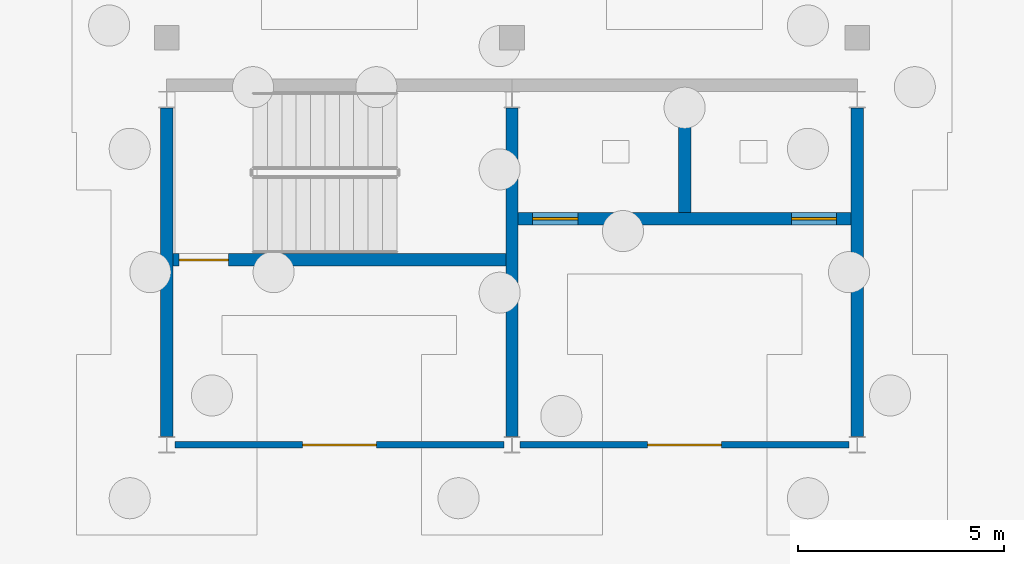
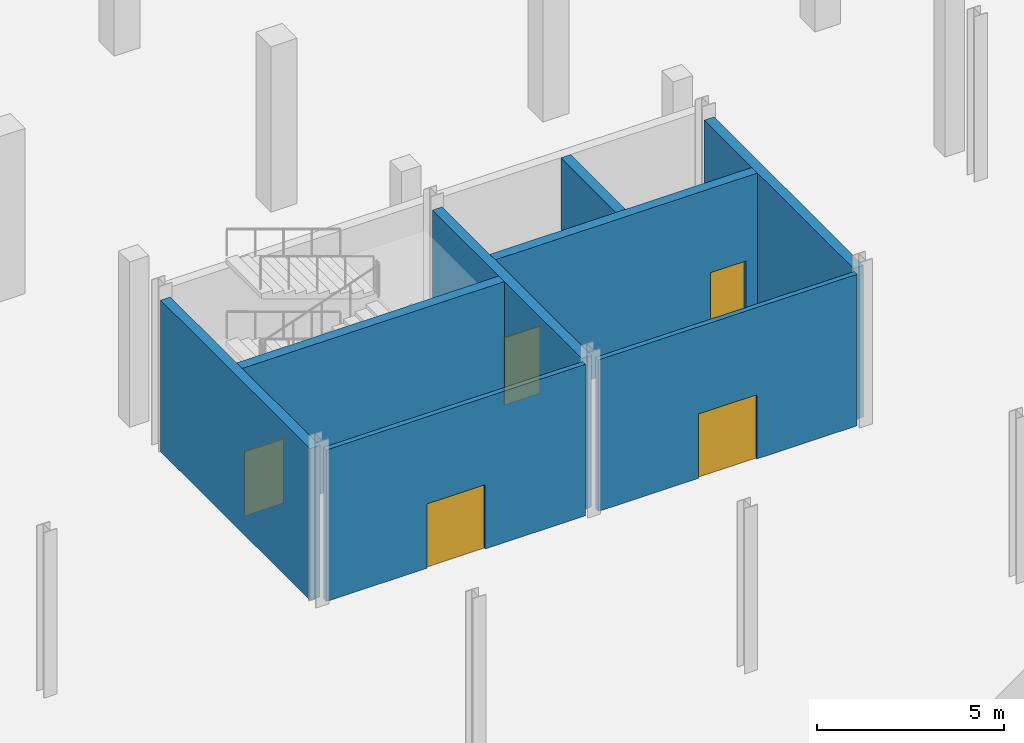
# One storey, part 16 of 29: 8 walls, 5 doors, 5 openings.
"""IFC4 building model written with IfcOpenShell, lengths in metres."""

from ifc_helpers import new_model, si_unit, direction, frame, frame_2d, origin, place, context, subcontext, project, spatial, rectangle, extrude, material, layer, layer_set, type_object, element, fill, save


model = new_model("IFC4")

# Units and contexts
model_context = context("Model", 3, precision=1e-05, world=origin(), true_north=direction((0.0, 1.0)))
body_context = subcontext(model_context, "Body", "Model", "MODEL_VIEW")
ifc_project = project(units=[si_unit("LENGTHUNIT", "METRE"), si_unit("AREAUNIT", "SQUARE_METRE"), si_unit("VOLUMEUNIT", "CUBIC_METRE"), si_unit("PLANEANGLEUNIT", "RADIAN"), si_unit("MASSUNIT", "GRAM", prefix="KILO")], contexts=[model_context])

# Site, building, storey
site_placement = place(None, origin())
site = spatial("IfcSite", under=ifc_project, at=site_placement, CompositionType="ELEMENT")
building_placement = place(site_placement, origin())
building = spatial("IfcBuilding", under=site, at=building_placement, Name="Cresset Court Congress Hotel", CompositionType="ELEMENT")
storey_placement = place(building_placement, frame((0.0, 0.0, -5.39990234375)))
storey = spatial("IfcBuildingStorey", under=building, at=storey_placement, Name="B1", CompositionType="ELEMENT", Elevation=-5.39990234375)

# Wall, opening, door
ifc_material_1 = material(Name="Concrete masonry", Category="masonry")
ifc_layer_1 = layer(ifc_material_1, 0.14990234375)
ifc_layer_set_1 = layer_set([ifc_layer_1], Name="Basement partition 150")
wall_type_1 = type_object("IfcWallType", Name="Basement partition 150", PredefinedType="PARTITIONING", material=ifc_layer_set_1)
wall_1_placement = place(storey_placement, frame((101.0, 16.800048828125, 0.0), z_axis=(0.0, 0.0, 1.0), x_axis=(1.0, 0.0, 0.0)))
wall_1 = element("IfcWall", 1, at=wall_1_placement, inside=storey, type_object=wall_type_1, Name="S.wall.B1.P007", PredefinedType="PARTITIONING", context=body_context, shape_type="SweptSolid", body=[
    extrude(rectangle(XDim=8.0, YDim=0.14990234375, at=frame_2d((4.0, 0.0))), origin(), (0.0, 0.0, 1.0), 4.949951171875),
])
opening_1_placement = place(wall_1_placement, frame((3.10009765625, 0.0, 0.0)))
opening_1 = element("IfcOpeningElement", 2, at=opening_1_placement, cuts=wall_1, Name="Opening DS-B1-08", PredefinedType="OPENING", context=body_context, shape_type="SweptSolid", body=[
    extrude(rectangle(XDim=1.800048828125, YDim=2.10009765625, at=frame_2d((0.89990234375, 1.050048828125))), frame((0.0, 0.0849609375, 0.0), z_axis=(0.0, -1.0, 0.0), x_axis=(1.0, 0.0, 0.0)), (0.0, 0.0, 1.0), 0.169921875),
])
ifc_material_2 = material(Name="Steel", Category="steel")
door_type_1 = type_object("IfcDoorType", Name="Basement lobby door 1800x2100", OperationType="DOUBLE_DOOR_SINGLE_SWING", PredefinedType="DOOR", material=ifc_material_2)
door_1_placement = place(opening_1_placement, origin())
door_1 = element("IfcDoor", 3, at=door_1_placement, inside=storey, type_object=door_type_1, Name="Door DS-B1-08", OperationType="DOUBLE_DOOR_SINGLE_SWING", OverallHeight=2.10009765625, OverallWidth=1.800048828125, PredefinedType="DOOR", context=body_context, shape_type="SweptSolid", body=[
    extrude(rectangle(XDim=1.800048828125, YDim=2.10009765625, at=frame_2d((0.89990234375, 1.050048828125))), frame((0.0, 0.02490234375, 0.0), z_axis=(0.0, -1.0, 0.0), x_axis=(1.0, 0.0, 0.0)), (0.0, 0.0, 1.0), 0.050048828125),
])
fill(opening_1, door_1)

wall_2_placement = place(storey_placement, frame((109.39990234375, 16.800048828125, 0.0), z_axis=(0.0, 0.0, 1.0), x_axis=(1.0, 0.0, 0.0)))
wall_2 = element("IfcWall", 4, at=wall_2_placement, inside=storey, type_object=wall_type_1, Name="S.wall.B1.P008", PredefinedType="PARTITIONING", context=body_context, shape_type="SweptSolid", body=[
    extrude(rectangle(XDim=8.0, YDim=0.14990234375, at=frame_2d((4.0, 0.0))), origin(), (0.0, 0.0, 1.0), 4.949951171875),
])
opening_2_placement = place(wall_2_placement, frame((3.10009765625, 0.0, 0.0)))
opening_2 = element("IfcOpeningElement", 5, at=opening_2_placement, cuts=wall_2, Name="Opening DS-B1-09", PredefinedType="OPENING", context=body_context, shape_type="SweptSolid", body=[
    extrude(rectangle(XDim=1.800048828125, YDim=2.10009765625, at=frame_2d((0.89990234375, 1.050048828125))), frame((0.0, 0.0849609375, 0.0), z_axis=(0.0, -1.0, 0.0), x_axis=(1.0, 0.0, 0.0)), (0.0, 0.0, 1.0), 0.169921875),
])
door_2_placement = place(opening_2_placement, origin())
door_2 = element("IfcDoor", 6, at=door_2_placement, inside=storey, type_object=door_type_1, Name="Door DS-B1-09", OperationType="DOUBLE_DOOR_SINGLE_SWING", OverallHeight=2.10009765625, OverallWidth=1.800048828125, PredefinedType="DOOR", context=body_context, shape_type="SweptSolid", body=[
    extrude(rectangle(XDim=1.800048828125, YDim=2.10009765625, at=frame_2d((0.89990234375, 1.050048828125))), frame((0.0, 0.02490234375, 0.0), z_axis=(0.0, -1.0, 0.0), x_axis=(1.0, 0.0, 0.0)), (0.0, 0.0, 1.0), 0.050048828125),
])
fill(opening_2, door_2)

# Walls
ifc_material_3 = material(Name="Concrete C50", Category="concrete")
ifc_layer_2 = layer(ifc_material_3, 0.300048828125)
ifc_layer_set_2 = layer_set([ifc_layer_2], Name="Core wall 300 Concrete C50")
wall_type_2 = type_object("IfcWallType", Name="Core wall 300 Concrete C50", PredefinedType="SHEAR", material=ifc_layer_set_2)
for number, where, z_axis, x_axis, name in (
    (7, (109.199951171875, 17.0, 0.0), (0.0, 0.0, 1.0), (0.0, 1.0, 0.0), "Core wall LC-B2"),
    (8, (117.60009765625, 17.0, 0.0), (0.0, 0.0, 1.0), (0.0, 1.0, 0.0), "Core wall LC-B2"),
):
    element("IfcWall", number, at=place(storey_placement, frame(where, z_axis=z_axis, x_axis=x_axis)), inside=storey, type_object=wall_type_2, Name=name, PredefinedType="SHEAR", context=body_context, shape_type="SweptSolid", body=[
        extrude(rectangle(XDim=8.0, YDim=0.300048828125, at=frame_2d((4.0, 0.0))), origin(), (0.0, 0.0, 1.0), 4.949951171875),
    ])

# Wall, openings, doors
wall_3_placement = place(storey_placement, frame((109.35009765625, 22.300048828125, 0.0), z_axis=(0.0, 0.0, 1.0), x_axis=(1.0, 0.0, 0.0)))
wall_3 = element("IfcWall", 9, at=wall_3_placement, inside=storey, type_object=wall_type_2, Name="Core wall LC-B2", PredefinedType="SHEAR", context=body_context, shape_type="SweptSolid", body=[
    extrude(rectangle(XDim=8.099853515625, YDim=0.300048828125, at=frame_2d((4.0498046875, 0.0))), origin(), (0.0, 0.0, 1.0), 4.949951171875),
])
opening_3_placement = place(wall_3_placement, frame((0.35009765625, 0.0, 0.0)))
opening_3 = element("IfcOpeningElement", 10, at=opening_3_placement, cuts=wall_3, Name="Opening LD-B2-01", PredefinedType="OPENING", context=body_context, shape_type="SweptSolid", body=[
    extrude(rectangle(XDim=1.10009765625, YDim=2.199951171875, at=frame_2d((0.550048828125, 1.10009765625))), frame((0.0, 0.159912109375, 0.0), z_axis=(0.0, -1.0, 0.0), x_axis=(1.0, 0.0, 0.0)), (0.0, 0.0, 1.0), 0.320068359375),
])
opening_4_placement = place(wall_3_placement, frame((6.64990234375, 0.0, 0.0)))
opening_4 = element("IfcOpeningElement", 11, at=opening_4_placement, cuts=wall_3, Name="Opening LD-B2-02", PredefinedType="OPENING", context=body_context, shape_type="SweptSolid", body=[
    extrude(rectangle(XDim=1.10009765625, YDim=2.199951171875, at=frame_2d((0.550048828125, 1.10009765625))), frame((0.0, 0.159912109375, 0.0), z_axis=(0.0, -1.0, 0.0), x_axis=(1.0, 0.0, 0.0)), (0.0, 0.0, 1.0), 0.320068359375),
])
ifc_material_4 = material(Name="Stainless steel", Category="steel")
door_type_2 = type_object("IfcDoorType", Name="Lift landing door sliding 1100x2200", OperationType="SLIDING_TO_LEFT", PredefinedType="DOOR", material=ifc_material_4)
door_3_placement = place(opening_3_placement, origin())
door_3 = element("IfcDoor", 12, at=door_3_placement, inside=storey, type_object=door_type_2, Name="Lift landing door LD-B2-01", OperationType="SLIDING_TO_LEFT", OverallHeight=2.199951171875, OverallWidth=1.10009765625, PredefinedType="DOOR", context=body_context, shape_type="SweptSolid", body=[
    extrude(rectangle(XDim=1.10009765625, YDim=2.199951171875, at=frame_2d((0.550048828125, 1.10009765625))), frame((0.0, 0.02490234375, 0.0), z_axis=(0.0, -1.0, 0.0), x_axis=(1.0, 0.0, 0.0)), (0.0, 0.0, 1.0), 0.050048828125),
])
fill(opening_3, door_3)
door_4_placement = place(opening_4_placement, origin())
door_4 = element("IfcDoor", 13, at=door_4_placement, inside=storey, type_object=door_type_2, Name="Lift landing door LD-B2-02", OperationType="SLIDING_TO_LEFT", OverallHeight=2.199951171875, OverallWidth=1.10009765625, PredefinedType="DOOR", context=body_context, shape_type="SweptSolid", body=[
    extrude(rectangle(XDim=1.10009765625, YDim=2.199951171875, at=frame_2d((0.550048828125, 1.10009765625))), frame((0.0, 0.02490234375, 0.0), z_axis=(0.0, -1.0, 0.0), x_axis=(1.0, 0.0, 0.0)), (0.0, 0.0, 1.0), 0.050048828125),
])
fill(opening_4, door_4)

# Walls
wall_4_placement = place(storey_placement, frame((113.39990234375, 22.449951171875, 0.0), z_axis=(0.0, 0.0, 1.0), x_axis=(0.0, 1.0, 0.0)))
element("IfcWall", 14, at=wall_4_placement, inside=storey, type_object=wall_type_2, Name="Core wall LC-B2", PredefinedType="SHEAR", context=body_context, shape_type="SweptSolid", body=[
    extrude(rectangle(XDim=2.949951171875, YDim=0.300048828125, at=frame_2d((1.47509765625, 0.0))), origin(), (0.0, 0.0, 1.0), 4.949951171875),
])
wall_5_placement = place(storey_placement, frame((100.800048828125, 17.0, 0.0), z_axis=(0.0, 0.0, 1.0), x_axis=(0.0, 1.0, 0.0)))
element("IfcWall", 15, at=wall_5_placement, inside=storey, type_object=wall_type_2, Name="Core wall ST-B4", PredefinedType="SHEAR", context=body_context, shape_type="SweptSolid", body=[
    extrude(rectangle(XDim=8.0, YDim=0.300048828125, at=frame_2d((4.0, 0.0))), origin(), (0.0, 0.0, 1.0), 4.949951171875),
])

# Wall, opening, door
wall_6_placement = place(storey_placement, frame((100.949951171875, 21.300048828125, 0.0), z_axis=(0.0, 0.0, 1.0), x_axis=(1.0, 0.0, 0.0)))
wall_6 = element("IfcWall", 16, at=wall_6_placement, inside=storey, type_object=wall_type_2, Name="Core wall ST-B4", PredefinedType="SHEAR", context=body_context, shape_type="SweptSolid", body=[
    extrude(rectangle(XDim=8.10009765625, YDim=0.300048828125, at=frame_2d((4.050048828125, 0.0))), origin(), (0.0, 0.0, 1.0), 4.949951171875),
])
opening_5_placement = place(wall_6_placement, frame((0.14990234375, 0.0, 0.0)))
opening_5 = element("IfcOpeningElement", 17, at=opening_5_placement, cuts=wall_6, Name="Opening DB-1-10", PredefinedType="OPENING", context=body_context, shape_type="SweptSolid", body=[
    extrude(rectangle(XDim=1.199951171875, YDim=2.10009765625, at=frame_2d((0.60009765625, 1.050048828125))), frame((0.0, 0.159912109375, 0.0), z_axis=(0.0, -1.0, 0.0), x_axis=(1.0, 0.0, 0.0)), (0.0, 0.0, 1.0), 0.320068359375),
])
ifc_material_5 = material(Name="Timber and steel frame", Category="steel")
door_type_3 = type_object("IfcDoorType", Name="Stair fire door FD60 1200x2100", OperationType="SINGLE_SWING_LEFT", PredefinedType="DOOR", material=ifc_material_5)
door_5_placement = place(opening_5_placement, origin())
door_5 = element("IfcDoor", 18, at=door_5_placement, inside=storey, type_object=door_type_3, Name="Stair door ST-B4", OperationType="SINGLE_SWING_LEFT", OverallHeight=2.10009765625, OverallWidth=1.199951171875, PredefinedType="DOOR", context=body_context, shape_type="SweptSolid", body=[
    extrude(rectangle(XDim=1.199951171875, YDim=2.10009765625, at=frame_2d((0.60009765625, 1.050048828125))), frame((0.0, 0.02490234375, 0.0), z_axis=(0.0, -1.0, 0.0), x_axis=(1.0, 0.0, 0.0)), (0.0, 0.0, 1.0), 0.050048828125),
])
fill(opening_5, door_5)

save(model, "model.ifc")
